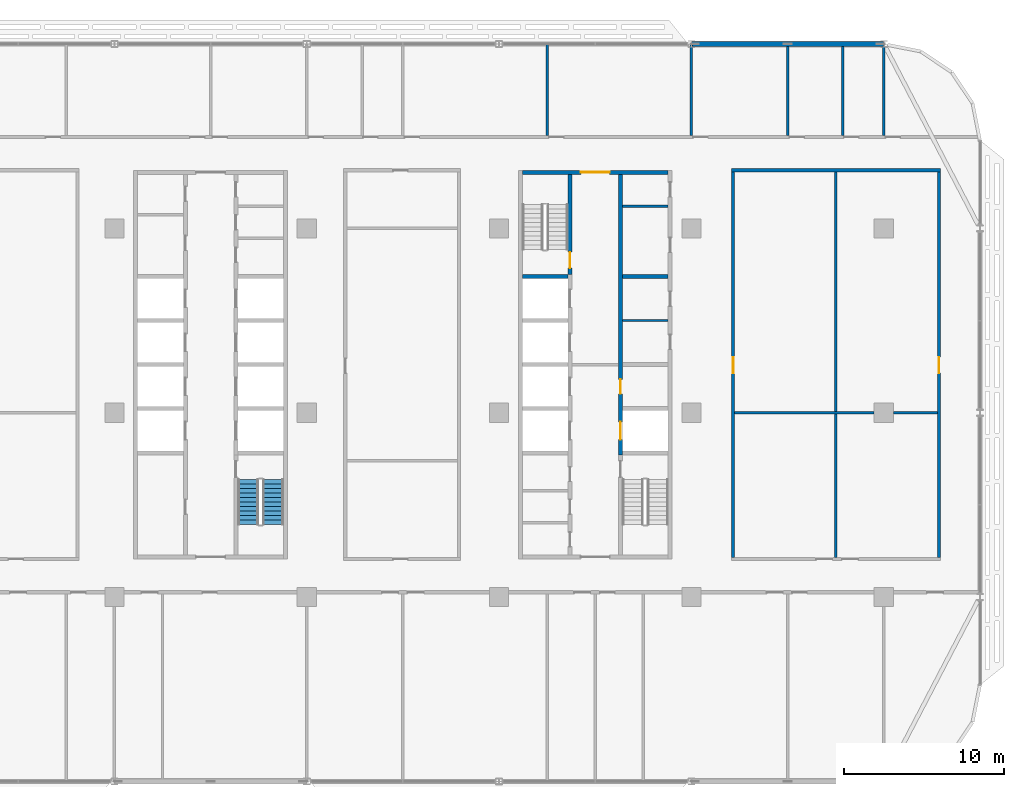
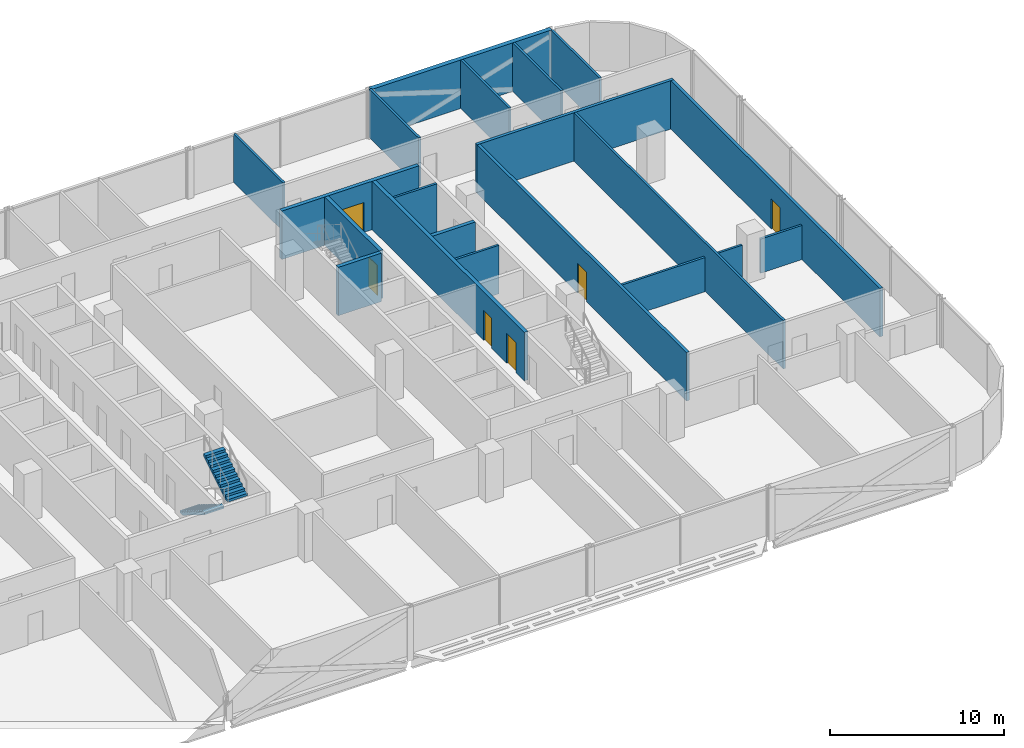
# One storey, part 16 of 28: 19 walls, 6 doors, 2 stair flights, 6 openings, 1 element without a shape of its own.
"""IFC4 building model written with IfcOpenShell, lengths in metres."""

from ifc_helpers import new_model, si_unit, direction, frame, frame_2d, origin, place, context, subcontext, project, spatial, polyline, rectangle, outline, extrude, material, layer, layer_set, type_object, element, fill, aggregate, save


model = new_model("IFC4")

# Units and contexts
model_context = context("Model", 3, precision=1e-05, world=origin(), true_north=direction((0.0, 1.0)))
body_context = subcontext(model_context, "Body", "Model", "MODEL_VIEW")
ifc_project = project(units=[si_unit("LENGTHUNIT", "METRE"), si_unit("AREAUNIT", "SQUARE_METRE"), si_unit("VOLUMEUNIT", "CUBIC_METRE"), si_unit("PLANEANGLEUNIT", "RADIAN"), si_unit("MASSUNIT", "GRAM", prefix="KILO")], contexts=[model_context])

# Site, building, storey
site_placement = place(None, origin())
site = spatial("IfcSite", under=ifc_project, at=site_placement, CompositionType="ELEMENT")
building_placement = place(site_placement, origin())
building = spatial("IfcBuilding", under=site, at=building_placement, Name="Mahtab Terrace Research Tower", CompositionType="ELEMENT")
storey_placement = place(building_placement, frame((0.0, 0.0, 185.800048828125)))
storey = spatial("IfcBuildingStorey", under=building, at=storey_placement, Name="L44", CompositionType="ELEMENT", Elevation=185.800048828125)

# Walls
ifc_material_1 = material(Name="Gypsum board partition")
ifc_layer_1 = layer(ifc_material_1, 0.14990234375)
ifc_layer_set_1 = layer_set([ifc_layer_1], Name="Core partition 150")
wall_type_1 = type_object("IfcWallType", Name="Core partition 150", PredefinedType="PARTITIONING", material=ifc_layer_set_1)
for number, where, z_axis, x_axis, name in (
    (1, (25.699951171875, 5.75, 0.0), (0.0, 0.0, 1.0), (1.0, 0.0, 0.0), "Core wall C pEL275"),
    (2, (25.699951171875, 12.875, 0.0), (0.0, 0.0, 1.0), (1.0, 0.0, 0.0), "Core wall C pEN988"),
):
    element("IfcWall", number, at=place(storey_placement, frame(where, z_axis=z_axis, x_axis=x_axis)), inside=storey, type_object=wall_type_1, Name=name, PredefinedType="PARTITIONING", context=body_context, shape_type="SweptSolid", body=[
        extrude(rectangle(XDim=2.85009765625, YDim=0.14990234375, at=frame_2d((1.425048828125, 0.0))), origin(), (0.0, 0.0, 1.0), 3.39990234375),
    ])

# Wall, opening, door
ifc_material_2 = material(Name="Concrete C70/85", Category="concrete")
ifc_layer_2 = layer(ifc_material_2, 0.25)
ifc_layer_set_2 = layer_set([ifc_layer_2], Name="Core wall 250")
wall_type_2 = type_object("IfcWallType", Name="Core wall 250", PredefinedType="SOLIDWALL", material=ifc_layer_set_2)
wall_1_placement = place(storey_placement, frame((19.449951171875, 15.0, 0.0), z_axis=(0.0, 0.0, 1.0), x_axis=(1.0, 0.0, 0.0)))
wall_1 = element("IfcWall", 3, at=wall_1_placement, inside=storey, type_object=wall_type_2, Name="Core wall C endN", PredefinedType="SOLIDWALL", context=body_context, shape_type="SweptSolid", body=[
    extrude(rectangle(XDim=9.10009765625, YDim=0.25, at=frame_2d((4.550048828125, 0.0))), origin(), (0.0, 0.0, 1.0), 3.39990234375),
])
opening_1_placement = place(wall_1_placement, frame((3.64990234375, 0.0, 0.0)))
opening_1 = element("IfcOpeningElement", 4, at=opening_1_placement, cuts=wall_1, Name="Opening C-N1", PredefinedType="OPENING", context=body_context, shape_type="SweptSolid", body=[
    extrude(rectangle(XDim=1.800048828125, YDim=2.10009765625, at=frame_2d((0.89990234375, 1.050048828125))), frame((0.0, 0.135009765625, 0.0), z_axis=(0.0, -1.0, 0.0), x_axis=(1.0, 0.0, 0.0)), (0.0, 0.0, 1.0), 0.27001953125),
])
ifc_material_3 = material(Name="Steel fire door", Category="steel")
door_type_1 = type_object("IfcDoorType", Name="Lobby double door 1800x2100 1 HR", OperationType="DOUBLE_DOOR_SINGLE_SWING", PredefinedType="DOOR", material=ifc_material_3)
door_1_placement = place(opening_1_placement, origin())
door_1 = element("IfcDoor", 5, at=door_1_placement, inside=storey, type_object=door_type_1, Name="Core entrance door C N", OperationType="DOUBLE_DOOR_SINGLE_SWING", OverallHeight=2.10009765625, OverallWidth=1.800048828125, PredefinedType="DOOR", context=body_context, shape_type="SweptSolid", body=[
    extrude(rectangle(XDim=1.800048828125, YDim=2.10009765625, at=frame_2d((0.89990234375, 1.050048828125))), frame((0.0, 0.02490234375, 0.0), z_axis=(0.0, -1.0, 0.0), x_axis=(1.0, 0.0, 0.0)), (0.0, 0.0, 1.0), 0.050048828125),
])
fill(opening_1, door_1)

wall_2_placement = place(storey_placement, frame((22.425048828125, 14.875, 0.0), z_axis=(0.0, 0.0, 1.0), x_axis=(0.0, -1.0, 0.0)))
wall_2 = element("IfcWall", 6, at=wall_2_placement, inside=storey, type_object=wall_type_2, Name="Core wall C innerWN", PredefinedType="SOLIDWALL", context=body_context, shape_type="SweptSolid", body=[
    extrude(rectangle(XDim=6.25, YDim=0.25, at=frame_2d((3.125, 0.0))), origin(), (0.0, 0.0, 1.0), 3.39990234375),
])
opening_2_placement = place(wall_2_placement, frame((4.85009765625, 0.0, 0.0)))
opening_2 = element("IfcOpeningElement", 7, at=opening_2_placement, cuts=wall_2, Name="Opening C-ST3", PredefinedType="OPENING", context=body_context, shape_type="SweptSolid", body=[
    extrude(rectangle(XDim=1.0, YDim=2.10009765625, at=frame_2d((0.5, 1.050048828125))), frame((0.0, 0.135009765625, 0.0), z_axis=(0.0, -1.0, 0.0), x_axis=(1.0, 0.0, 0.0)), (0.0, 0.0, 1.0), 0.27001953125),
])
door_type_2 = type_object("IfcDoorType", Name="Stair door 1000x2100 1.5 HR", OperationType="NOTDEFINED", PredefinedType="DOOR", material=ifc_material_3)
door_2_placement = place(opening_2_placement, origin())
door_2 = element("IfcDoor", 8, at=door_2_placement, inside=storey, type_object=door_type_2, Name="Stair door ST3 L44", OperationType="SINGLE_SWING_LEFT", OverallHeight=2.10009765625, OverallWidth=1.0, PredefinedType="DOOR", context=body_context, shape_type="SweptSolid", body=[
    extrude(rectangle(XDim=1.0, YDim=2.10009765625, at=frame_2d((0.5, 1.050048828125))), frame((0.0, 0.02490234375, 0.0), z_axis=(0.0, -1.0, 0.0), x_axis=(1.0, 0.0, 0.0)), (0.0, 0.0, 1.0), 0.050048828125),
])
fill(opening_2, door_2)

# Wall, openings, doors
wall_3_placement = place(storey_placement, frame((25.574951171875, 14.875, 0.0), z_axis=(0.0, 0.0, 1.0), x_axis=(0.0, -1.0, 0.0)))
wall_3 = element("IfcWall", 9, at=wall_3_placement, inside=storey, type_object=wall_type_2, Name="Core wall C innerELN", PredefinedType="SOLIDWALL", context=body_context, shape_type="SweptSolid", body=[
    extrude(rectangle(XDim=17.5, YDim=0.25, at=frame_2d((8.75, 0.0))), origin(), (0.0, 0.0, 1.0), 3.39990234375),
])
opening_3_placement = place(wall_3_placement, frame((15.449951171875, 0.0, 0.0)))
opening_3 = element("IfcOpeningElement", 10, at=opening_3_placement, cuts=wall_3, Name="Opening LD21-L44", PredefinedType="OPENING", context=body_context, shape_type="SweptSolid", body=[
    extrude(rectangle(XDim=1.10009765625, YDim=2.10009765625, at=frame_2d((0.550048828125, 1.050048828125))), frame((0.0, 0.135009765625, 0.0), z_axis=(0.0, -1.0, 0.0), x_axis=(1.0, 0.0, 0.0)), (0.0, 0.0, 1.0), 0.27001953125),
])
opening_4_placement = place(wall_3_placement, frame((12.800048828125, 0.0, 0.0)))
opening_4 = element("IfcOpeningElement", 11, at=opening_4_placement, cuts=wall_3, Name="Opening C-R1", PredefinedType="OPENING", context=body_context, shape_type="SweptSolid", body=[
    extrude(rectangle(XDim=0.89990234375, YDim=2.10009765625, at=frame_2d((0.449951171875, 1.050048828125))), frame((0.0, 0.135009765625, 0.0), z_axis=(0.0, -1.0, 0.0), x_axis=(1.0, 0.0, 0.0)), (0.0, 0.0, 1.0), 0.27001953125),
])
ifc_material_4 = material(Name="Stainless steel AISI 304", Category="steel")
door_type_3 = type_object("IfcDoorType", Name="Landing door 1100x2100", OperationType="DOUBLE_DOOR_SLIDING", PredefinedType="DOOR", material=ifc_material_4)
door_3_placement = place(opening_3_placement, origin())
door_3 = element("IfcDoor", 12, at=door_3_placement, inside=storey, type_object=door_type_3, Name="Landing door SV3 L44", OperationType="DOUBLE_DOOR_SLIDING", OverallHeight=2.10009765625, OverallWidth=1.10009765625, PredefinedType="DOOR", context=body_context, shape_type="SweptSolid", body=[
    extrude(rectangle(XDim=1.10009765625, YDim=2.10009765625, at=frame_2d((0.550048828125, 1.050048828125))), frame((0.0, 0.02490234375, 0.0), z_axis=(0.0, -1.0, 0.0), x_axis=(1.0, 0.0, 0.0)), (0.0, 0.0, 1.0), 0.050048828125),
])
fill(opening_3, door_3)
door_type_4 = type_object("IfcDoorType", Name="Room door 900x2100 1 HR", OperationType="NOTDEFINED", PredefinedType="DOOR", material=ifc_material_3)
door_4_placement = place(opening_4_placement, origin())
door_4 = element("IfcDoor", 13, at=door_4_placement, inside=storey, type_object=door_type_4, Name="Plant room door", OperationType="SINGLE_SWING_LEFT", OverallHeight=2.10009765625, OverallWidth=0.89990234375, PredefinedType="DOOR", context=body_context, shape_type="SweptSolid", body=[
    extrude(rectangle(XDim=0.89990234375, YDim=2.10009765625, at=frame_2d((0.449951171875, 1.050048828125))), frame((0.0, 0.02490234375, 0.0), z_axis=(0.0, -1.0, 0.0), x_axis=(1.0, 0.0, 0.0)), (0.0, 0.0, 1.0), 0.050048828125),
])
fill(opening_4, door_4)

# Walls
for number, where, z_axis, x_axis, name in (
    (14, (19.449951171875, 8.5, 0.0), (0.0, 0.0, 1.0), (1.0, 0.0, 0.0), "Core wall C divW4"),
    (15, (25.699951171875, 8.5, 0.0), (0.0, 0.0, 1.0), (1.0, 0.0, 0.0), "Core wall C divE4"),
):
    element("IfcWall", number, at=place(storey_placement, frame(where, z_axis=z_axis, x_axis=x_axis)), inside=storey, type_object=wall_type_2, Name=name, PredefinedType="SOLIDWALL", context=body_context, shape_type="SweptSolid", body=[
        extrude(rectangle(XDim=2.85009765625, YDim=0.25, at=frame_2d((1.425048828125, 0.0))), origin(), (0.0, 0.0, 1.0), 3.39990234375),
    ])
ifc_material_5 = material(Name="Black aluminium cladding panel", Category="aluminium")
ifc_layer_3 = layer(ifc_material_5, 0.300048828125)
ifc_layer_set_3 = layer_set([ifc_layer_3], Name="Opaque facade wall 300")
wall_type_3 = type_object("IfcWallType", Name="Opaque facade wall 300", PredefinedType="NOTDEFINED", material=ifc_layer_set_3)
wall_4_placement = place(storey_placement, frame((41.985107421875, 23.0, 0.0), z_axis=(0.0, 0.0, 1.0), x_axis=(-1.0, 0.0, 0.0)))
element("IfcWall", 16, at=wall_4_placement, inside=storey, type_object=wall_type_3, Name="Opaque facade wall L44 N3", PredefinedType="NOTDEFINED", context=body_context, shape_type="SweptSolid", body=[
    extrude(rectangle(XDim=11.97021484375, YDim=0.300048828125, at=frame_2d((5.985107421875, 0.0))), origin(), (0.0, 0.0, 1.0), 3.39990234375),
])
ifc_material_6 = material(Name="Gypsum board corridor wall on steel studs", Category="steel")
ifc_layer_4 = layer(ifc_material_6, 0.199951171875)
ifc_layer_set_4 = layer_set([ifc_layer_4], Name="WALL CORRIDOR 200")
wall_type_4 = type_object("IfcWallType", Name="WALL CORRIDOR 200", PredefinedType="PARTITIONING", material=ifc_layer_set_4)
wall_5_placement = place(storey_placement, frame((32.5, 15.125, 0.0), z_axis=(0.0, 0.0, 1.0), x_axis=(1.0, 0.0, 0.0)))
element("IfcWall", 17, at=wall_5_placement, inside=storey, type_object=wall_type_4, Name="L44-W025", PredefinedType="PARTITIONING", context=body_context, shape_type="SweptSolid", body=[
    extrude(rectangle(XDim=13.050048828125, YDim=0.199951171875, at=frame_2d((6.52490234375, 0.0))), origin(), (0.0, 0.0, 1.0), 3.39990234375),
])

# Wall, opening, door
wall_6_placement = place(storey_placement, frame((32.60009765625, -9.02490234375, 0.0), z_axis=(0.0, 0.0, 1.0), x_axis=(0.0, 1.0, 0.0)))
wall_6 = element("IfcWall", 18, at=wall_6_placement, inside=storey, type_object=wall_type_4, Name="L44-W057", PredefinedType="PARTITIONING", context=body_context, shape_type="SweptSolid", body=[
    extrude(rectangle(XDim=24.0498046875, YDim=0.199951171875, at=frame_2d((12.02490234375, 0.0))), origin(), (0.0, 0.0, 1.0), 3.39990234375),
])
opening_5_placement = place(wall_6_placement, frame((11.5, 0.0, 0.0)))
opening_5 = element("IfcOpeningElement", 19, at=opening_5_placement, cuts=wall_6, Name="Opening L44-125", PredefinedType="OPENING", context=body_context, shape_type="SweptSolid", body=[
    extrude(rectangle(XDim=1.0, YDim=2.10009765625, at=frame_2d((0.5, 1.050048828125))), frame((0.0, 0.10986328125, 0.0), z_axis=(0.0, -1.0, 0.0), x_axis=(1.0, 0.0, 0.0)), (0.0, 0.0, 1.0), 0.219970703125),
])
ifc_material_7 = material(Name="Timber door leaf in steel frame", Category="steel")
door_type_5 = type_object("IfcDoorType", Name="DOOR 1000X2100 FD30S", OperationType="SINGLE_SWING_LEFT", PredefinedType="DOOR", material=ifc_material_7)
door_5_placement = place(opening_5_placement, origin())
door_5 = element("IfcDoor", 20, at=door_5_placement, inside=storey, type_object=door_type_5, Name="Door L44-125", OperationType="SINGLE_SWING_RIGHT", OverallHeight=2.10009765625, OverallWidth=1.0, PredefinedType="DOOR", context=body_context, shape_type="SweptSolid", body=[
    extrude(rectangle(XDim=1.0, YDim=2.10009765625, at=frame_2d((0.5, 1.050048828125))), frame((0.0, 0.02490234375, 0.0), z_axis=(0.0, -1.0, 0.0), x_axis=(1.0, 0.0, 0.0)), (0.0, 0.0, 1.0), 0.050048828125),
])
fill(opening_5, door_5)

wall_7_placement = place(storey_placement, frame((45.449951171875, -9.02490234375, 0.0), z_axis=(0.0, 0.0, 1.0), x_axis=(0.0, 1.0, 0.0)))
wall_7 = element("IfcWall", 21, at=wall_7_placement, inside=storey, type_object=wall_type_4, Name="L44-W064", PredefinedType="PARTITIONING", context=body_context, shape_type="SweptSolid", body=[
    extrude(rectangle(XDim=24.0498046875, YDim=0.199951171875, at=frame_2d((12.02490234375, 0.0))), origin(), (0.0, 0.0, 1.0), 3.39990234375),
])
opening_6_placement = place(wall_7_placement, frame((11.5, 0.0, 0.0)))
opening_6 = element("IfcOpeningElement", 22, at=opening_6_placement, cuts=wall_7, Name="Opening L44-126", PredefinedType="OPENING", context=body_context, shape_type="SweptSolid", body=[
    extrude(rectangle(XDim=1.0, YDim=2.10009765625, at=frame_2d((0.5, 1.050048828125))), frame((0.0, 0.10986328125, 0.0), z_axis=(0.0, -1.0, 0.0), x_axis=(1.0, 0.0, 0.0)), (0.0, 0.0, 1.0), 0.219970703125),
])
door_6_placement = place(opening_6_placement, origin())
door_6 = element("IfcDoor", 23, at=door_6_placement, inside=storey, type_object=door_type_5, Name="Door L44-126", OperationType="SINGLE_SWING_LEFT", OverallHeight=2.10009765625, OverallWidth=1.0, PredefinedType="DOOR", context=body_context, shape_type="SweptSolid", body=[
    extrude(rectangle(XDim=1.0, YDim=2.10009765625, at=frame_2d((0.5, 1.050048828125))), frame((0.0, 0.02490234375, 0.0), z_axis=(0.0, -1.0, 0.0), x_axis=(1.0, 0.0, 0.0)), (0.0, 0.0, 1.0), 0.050048828125),
])
fill(opening_6, door_6)

# Walls
ifc_material_8 = material(Name="Gypsum board partition on steel studs", Category="steel")
ifc_layer_5 = layer(ifc_material_8, 0.14990234375)
ifc_layer_set_5 = layer_set([ifc_layer_5], Name="WALL PARTITION 150")
wall_type_5 = type_object("IfcWallType", Name="WALL PARTITION 150", PredefinedType="PARTITIONING", material=ifc_layer_set_5)
wall_8_placement = place(storey_placement, frame((32.699951171875, 0.0, 0.0), z_axis=(0.0, 0.0, 1.0), x_axis=(1.0, 0.0, 0.0)))
element("IfcWall", 24, at=wall_8_placement, inside=storey, type_object=wall_type_5, Name="L44-W017", PredefinedType="PARTITIONING", context=body_context, shape_type="SweptSolid", body=[
    extrude(rectangle(XDim=8.699951171875, YDim=0.14990234375, at=frame_2d((4.35009765625, 0.0))), origin(), (0.0, 0.0, 1.0), 2.401123046875),
])
wall_9_placement = place(storey_placement, frame((42.60009765625, 0.0, 0.0), z_axis=(0.0, 0.0, 1.0), x_axis=(1.0, 0.0, 0.0)))
element("IfcWall", 25, at=wall_9_placement, inside=storey, type_object=wall_type_5, Name="L44-W018", PredefinedType="PARTITIONING", context=body_context, shape_type="SweptSolid", body=[
    extrude(rectangle(XDim=2.75, YDim=0.14990234375, at=frame_2d((1.375, 0.0))), origin(), (0.0, 0.0, 1.0), 2.401123046875),
])
for number, where, z_axis, x_axis, name in (
    (26, (21.0, 17.300048828125, 0.0), (0.0, 0.0, 1.0), (0.0, 1.0, 0.0), "L44-W053"),
    (27, (30.0, 17.300048828125, 0.0), (0.0, 0.0, 1.0), (0.0, 1.0, 0.0), "L44-W056"),
):
    element("IfcWall", number, at=place(storey_placement, frame(where, z_axis=z_axis, x_axis=x_axis)), inside=storey, type_object=wall_type_5, Name=name, PredefinedType="PARTITIONING", context=body_context, shape_type="SweptSolid", body=[
        extrude(rectangle(XDim=5.675048828125, YDim=0.14990234375, at=frame_2d((2.83740234375, 0.0))), origin(), (0.0, 0.0, 1.0), 3.39990234375),
    ])
wall_10_placement = place(storey_placement, frame((36.0, 17.300048828125, 0.0), z_axis=(0.0, 0.0, 1.0), x_axis=(0.0, 1.0, 0.0)))
element("IfcWall", 28, at=wall_10_placement, inside=storey, type_object=wall_type_5, Name="L44-W059", PredefinedType="PARTITIONING", context=body_context, shape_type="SweptSolid", body=[
    extrude(rectangle(XDim=5.550048828125, YDim=0.14990234375, at=frame_2d((2.77490234375, 0.0))), origin(), (0.0, 0.0, 1.0), 3.39990234375),
])
wall_11_placement = place(storey_placement, frame((39.0, -9.02490234375, 0.0), z_axis=(0.0, 0.0, 1.0), x_axis=(0.0, 1.0, 0.0)))
element("IfcWall", 29, at=wall_11_placement, inside=storey, type_object=wall_type_5, Name="L44-W060", PredefinedType="PARTITIONING", context=body_context, shape_type="SweptSolid", body=[
    extrude(rectangle(XDim=24.0498046875, YDim=0.14990234375, at=frame_2d((12.02490234375, 0.0))), origin(), (0.0, 0.0, 1.0), 3.39990234375),
])
wall_12_placement = place(storey_placement, frame((39.449951171875, 17.300048828125, 0.0), z_axis=(0.0, 0.0, 1.0), x_axis=(0.0, 1.0, 0.0)))
element("IfcWall", 30, at=wall_12_placement, inside=storey, type_object=wall_type_5, Name="L44-W061", PredefinedType="PARTITIONING", context=body_context, shape_type="SweptSolid", body=[
    extrude(rectangle(XDim=5.550048828125, YDim=0.14990234375, at=frame_2d((2.77490234375, 0.0))), origin(), (0.0, 0.0, 1.0), 3.39990234375),
])
wall_13_placement = place(storey_placement, frame((42.0, 17.300048828125, 0.0), z_axis=(0.0, 0.0, 1.0), x_axis=(0.0, 1.0, 0.0)))
element("IfcWall", 31, at=wall_13_placement, inside=storey, type_object=wall_type_5, Name="L44-W063", PredefinedType="PARTITIONING", context=body_context, shape_type="SweptSolid", body=[
    extrude(rectangle(XDim=5.547119140625, YDim=0.14990234375, at=frame_2d((2.7734375, 0.0))), origin(), (0.0, 0.0, 1.0), 3.39990234375),
])

# Stair, stair flights
ifc_material_9 = material(Name="Exit stair half-turn")
stair_type = type_object("IfcStairType", Name="Exit stair half-turn", PredefinedType="HALF_TURN_STAIR", material=ifc_material_9)
stair_placement = place(storey_placement, origin())
stair = element("IfcStair", 32, at=stair_placement, inside=storey, type_object=stair_type, Name="L44 Protected exit stair ST2", PredefinedType="HALF_TURN_STAIR")
ifc_material_10 = material(Name="Concrete C40/50", Category="concrete")
stair_flight_type = type_object("IfcStairFlightType", Name="Exit stair flight 1300", PredefinedType="STRAIGHT", material=ifc_material_10)
stair_flight_1_placement = place(storey_placement, frame((2.35009765625, -4.175048828125, 0.0), z_axis=(0.0, 0.0, 1.0), x_axis=(0.0, -1.0, 0.0)))
stair_flight_1 = element("IfcStairFlight", 33, at=stair_flight_1_placement, type_object=stair_flight_type, Name="ST2 flight 1", NumberOfRisers=11, NumberOfTreads=10, PredefinedType="STRAIGHT", RiserHeight=0.172727273, TreadLength=0.28, context=body_context, shape_type="SweptSolid", body=[
    extrude(outline(polyline([(0.0, 0.0), (0.0, 0.172607421875), (0.280029296875, 0.172607421875), (0.280029296875, 0.345458984375), (0.56005859375, 0.345458984375), (0.56005859375, 0.51806640625), (0.840087890625, 0.51806640625), (0.840087890625, 0.69091796875), (1.1201171875, 0.69091796875), (1.1201171875, 0.863525390625), (1.39990234375, 0.863525390625), (1.39990234375, 1.036376953125), (1.679931640625, 1.036376953125), (1.679931640625, 1.208984375), (1.9599609375, 1.208984375), (1.9599609375, 1.3818359375), (2.239990234375, 1.3818359375), (2.239990234375, 1.554443359375), (2.52001953125, 1.554443359375), (2.52001953125, 1.727294921875), (2.800048828125, 1.727294921875), (2.800048828125, 1.89990234375), (2.800048828125, 1.551025390625), (0.285400390625, 0.0), (0.0, 0.0)])), frame((0.0, 0.64990234375, 0.0), z_axis=(0.0, -1.0, 0.0), x_axis=(1.0, 0.0, 0.0)), (0.0, 0.0, 1.0), 1.300048828125),
])
stair_flight_2_placement = place(storey_placement, frame((3.89990234375, -6.97509765625, 1.89990234375), z_axis=(0.0, 0.0, 1.0), x_axis=(0.0, 1.0, 0.0)))
stair_flight_2 = element("IfcStairFlight", 34, at=stair_flight_2_placement, type_object=stair_flight_type, Name="ST2 flight 2", NumberOfRisers=11, NumberOfTreads=10, PredefinedType="STRAIGHT", RiserHeight=0.172727273, TreadLength=0.28, context=body_context, shape_type="SweptSolid", body=[
    extrude(outline(polyline([(0.0, 0.0), (0.0, 0.172607421875), (0.280029296875, 0.172607421875), (0.280029296875, 0.345458984375), (0.56005859375, 0.345458984375), (0.56005859375, 0.51806640625), (0.840087890625, 0.51806640625), (0.840087890625, 0.69091796875), (1.1201171875, 0.69091796875), (1.1201171875, 0.863525390625), (1.39990234375, 0.863525390625), (1.39990234375, 1.036376953125), (1.679931640625, 1.036376953125), (1.679931640625, 1.208984375), (1.9599609375, 1.208984375), (1.9599609375, 1.3818359375), (2.239990234375, 1.3818359375), (2.239990234375, 1.554443359375), (2.52001953125, 1.554443359375), (2.52001953125, 1.727294921875), (2.800048828125, 1.727294921875), (2.800048828125, 1.89990234375), (2.800048828125, 1.551025390625), (0.285400390625, 0.0), (0.0, 0.0)])), frame((0.0, 0.64990234375, 0.0), z_axis=(0.0, -1.0, 0.0), x_axis=(1.0, 0.0, 0.0)), (0.0, 0.0, 1.0), 1.300048828125),
])
aggregate(stair, [stair_flight_1, stair_flight_2])

save(model, "model.ifc")
